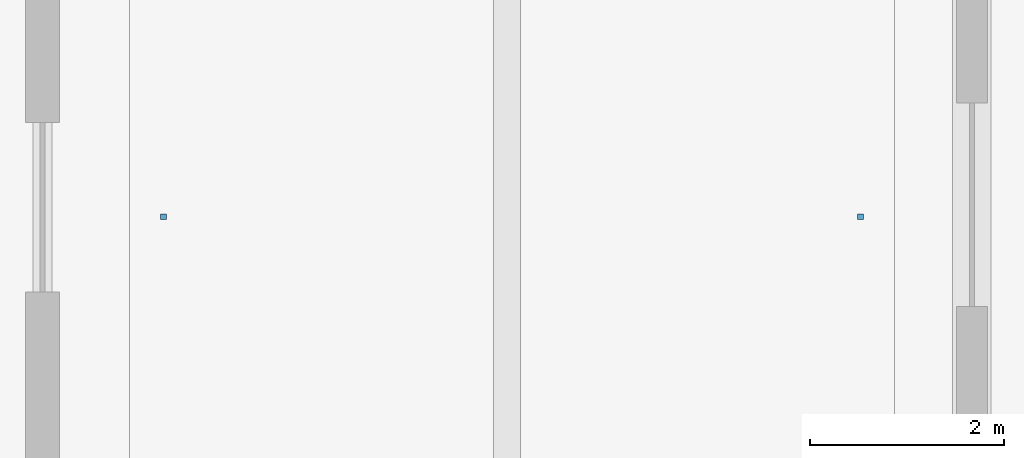
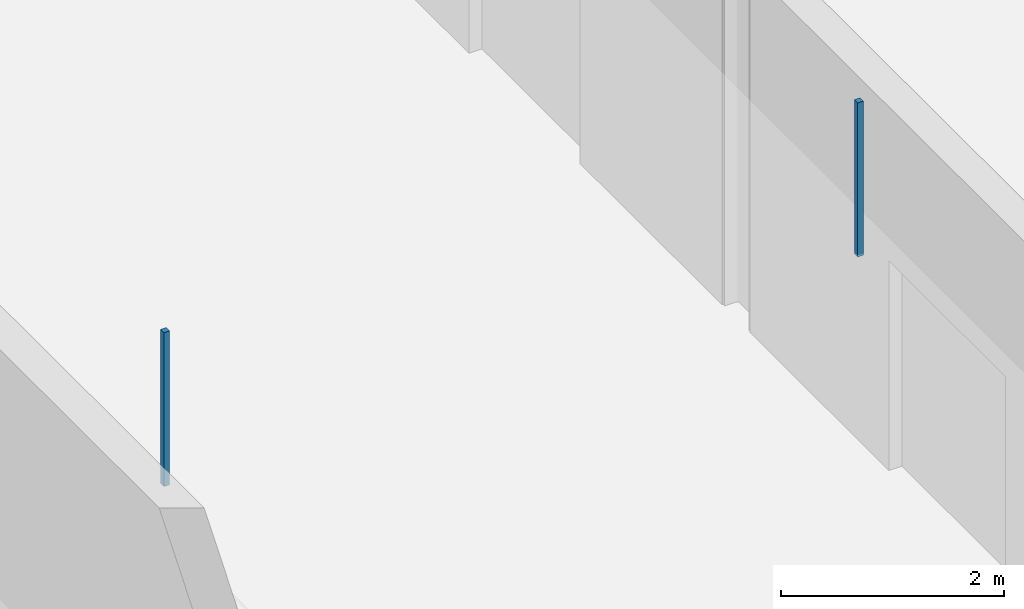
# One storey, part 77 of 126: 2 discrete accessories.
"""IFC4 building model written with IfcOpenShell, lengths in metres."""

from ifc_helpers import new_model, si_unit, direction, frame, origin, origin_2d, place, context, subcontext, project, spatial, rectangle, extrude, material, type_object, element, save


model = new_model("IFC4")

# Units and contexts
model_context = context("Model", 3, precision=1e-05, world=origin(), true_north=direction((0.0, 1.0)))
body_context = subcontext(model_context, "Body", "Model", "MODEL_VIEW")
ifc_project = project(units=[si_unit("LENGTHUNIT", "METRE"), si_unit("AREAUNIT", "SQUARE_METRE"), si_unit("VOLUMEUNIT", "CUBIC_METRE"), si_unit("PLANEANGLEUNIT", "RADIAN"), si_unit("MASSUNIT", "GRAM", prefix="KILO")], contexts=[model_context])

# Site, building, storey
site_placement = place(None, origin())
site = spatial("IfcSite", under=ifc_project, at=site_placement, CompositionType="ELEMENT")
building_placement = place(site_placement, origin())
building = spatial("IfcBuilding", under=site, at=building_placement, Name="Khelvaren Railside Concert Hall", CompositionType="ELEMENT")
storey_placement = place(building_placement, origin())
storey = spatial("IfcBuildingStorey", under=building, at=storey_placement, Name="L00", CompositionType="ELEMENT", Elevation=0.0)

# Discrete accessories
ifc_material = material(Name="Galvanised steel acoustic ceiling hanger rod", Category="steel")
discrete_accessory_type = type_object("IfcDiscreteAccessoryType", Name="BRK62", PredefinedType="BRACKET", material=ifc_material)
for number, where, z_axis, x_axis, name in (
    (1, (41.25, 26.47509765625, 3.429931640625), (0.0, 0.0, 1.0), (1.0, 0.0, 0.0), "Acoustic Ceiling Suspension Bracket 2-1"),
    (2, (48.449951171875, 26.47509765625, 3.429931640625), (0.0, 0.0, 1.0), (1.0, 0.0, 0.0), "Acoustic Ceiling Suspension Bracket 2-2"),
):
    element("IfcDiscreteAccessory", number, at=place(storey_placement, frame(where, z_axis=z_axis, x_axis=x_axis)), inside=storey, type_object=discrete_accessory_type, Name=name, PredefinedType="BRACKET", context=body_context, shape_type="SweptSolid", body=[
        extrude(rectangle(XDim=0.06005859375, YDim=0.06005859375, at=origin_2d()), origin(), (0.0, 0.0, 1.0), 1.68994140625),
    ])

save(model, "model.ifc")
